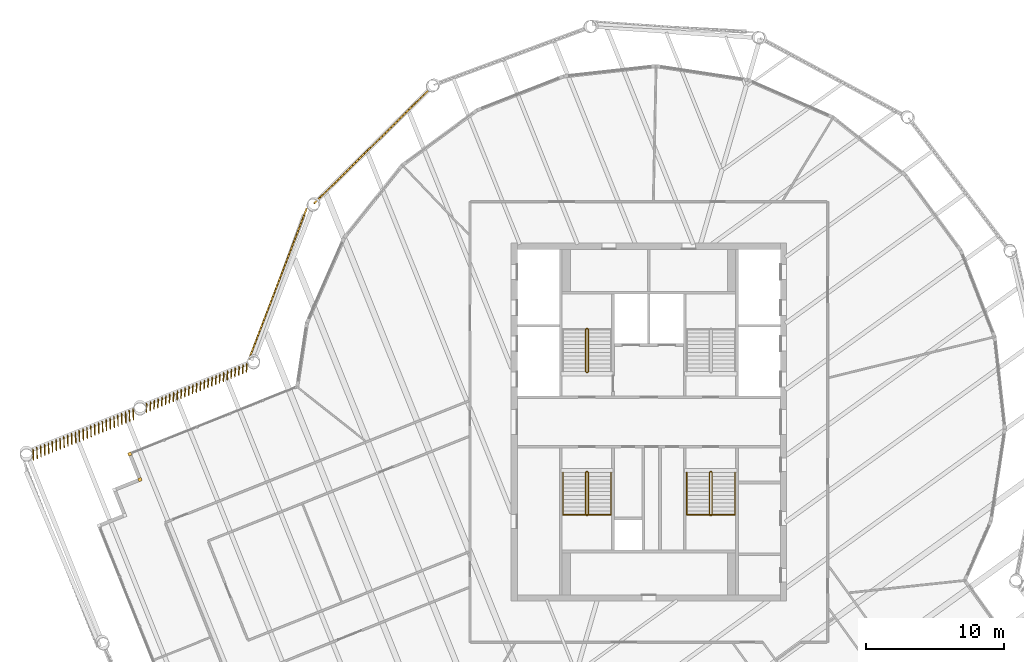
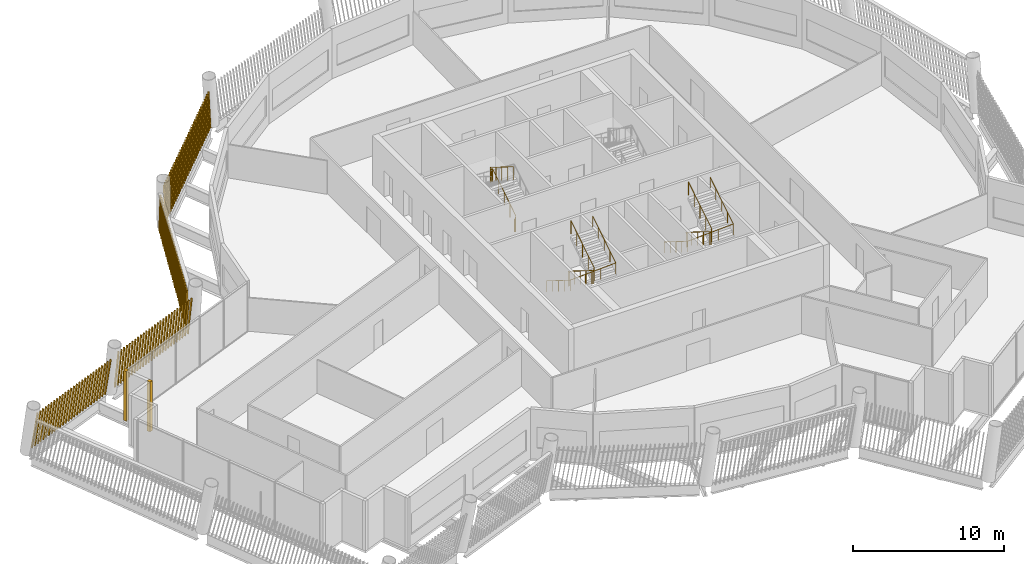
# One storey, part 24 of 27: 6 shading devices, 5 railings.
"""IFC4 building model written with IfcOpenShell, lengths in metres."""

from ifc_helpers import new_model, si_unit, direction, frame, frame_2d, origin, origin_2d, place, context, subcontext, project, spatial, rectangle, circle, composite_profile, extrude, material, type_object, element, save


model = new_model("IFC4")

# Units and contexts
model_context = context("Model", 3, precision=1e-05, world=origin(), true_north=direction((0.0, 1.0)))
body_context = subcontext(model_context, "Body", "Model", "MODEL_VIEW")
ifc_project = project(units=[si_unit("LENGTHUNIT", "METRE"), si_unit("AREAUNIT", "SQUARE_METRE"), si_unit("VOLUMEUNIT", "CUBIC_METRE"), si_unit("PLANEANGLEUNIT", "RADIAN"), si_unit("MASSUNIT", "GRAM", prefix="KILO")], contexts=[model_context])

# Site, building, storey
site_placement = place(None, origin())
site = spatial("IfcSite", under=ifc_project, at=site_placement, CompositionType="ELEMENT")
building_placement = place(site_placement, origin())
building = spatial("IfcBuilding", under=site, at=building_placement, Name="Tarsis Ring Headquarters", CompositionType="ELEMENT")
storey_placement = place(building_placement, frame((0.0, 0.0, 373.39990234375)))
storey = spatial("IfcBuildingStorey", under=building, at=storey_placement, Name="L88", CompositionType="ELEMENT", Elevation=373.39990234375)

# Railings
ifc_material_1 = material(Name="Steel S355", Category="steel")
railing_type_1 = type_object("IfcRailingType", Name="Core stair guard 1100", PredefinedType="GUARDRAIL", material=ifc_material_1)
railing_1_placement = place(storey_placement, frame((-4.5400390625, 3.610107421875, 0.0)))
element("IfcRailing", 1, at=railing_1_placement, inside=storey, type_object=railing_type_1, Name="L88 ST1 stair guard 1", PredefinedType="GUARDRAIL", context=body_context, shape_type="SweptSolid", body=[
    extrude(circle(Radius=0.02392578125, at=origin_2d()), frame((0.0, 0.0, 1.076171875), z_axis=(1.0, 0.0, 0.0), x_axis=(0.0, 1.0, 0.0)), (0.0, 0.0, 1.0), 0.080078125),
    extrude(circle(Radius=0.02392578125, at=origin_2d()), frame((0.080078125, 0.0, 1.076171875), z_axis=(0.265155923931, 0.263862480399, 0.927399011991), x_axis=(-0.705375805398, 0.708833529934, 0.0)), (0.0, 0.0, 1.0), 0.188720703125),
    extrude(circle(Radius=0.02392578125, at=origin_2d()), frame((0.130126953125, 0.0498046875, 1.2509765625), z_axis=(0.0, 0.847998304005, 0.529998940003), x_axis=(-1.0, 0.0, 0.0)), (0.0, 0.0, 1.0), 3.632080078125),
    extrude(circle(Radius=0.02392578125, at=origin_2d()), frame((0.130126953125, 3.1298828125, 3.17626953125), z_axis=(-0.707106781187, 0.707106781187, 0.0), x_axis=(-0.707106781187, -0.707106781187, 0.0)), (0.0, 0.0, 1.0), 0.07080078125),
    extrude(circle(Radius=0.02392578125, at=origin_2d()), frame((0.080078125, 3.179931640625, 3.17626953125), z_axis=(-1.0, 0.0, 0.0), x_axis=(0.0, -1.0, 0.0)), (0.0, 0.0, 1.0), 0.080078125),
    extrude(circle(Radius=0.02392578125, at=origin_2d()), frame((0.0, 3.179931640625, 3.17626953125), z_axis=(-0.265065253269, -0.265065253269, 0.927081885822), x_axis=(0.707106781187, -0.707106781187, 0.0)), (0.0, 0.0, 1.0), 0.188720703125),
    extrude(circle(Radius=0.02392578125, at=origin_2d()), frame((-0.050048828125, 3.1298828125, 3.35107421875), z_axis=(0.0, -0.847998304005, 0.529998940003), x_axis=(1.0, 0.0, 0.0)), (0.0, 0.0, 1.0), 3.632080078125),
    extrude(circle(Radius=0.02099609375, at=origin_2d()), origin(), (0.0, 0.0, 1.0), 1.052001953125),
    extrude(circle(Radius=0.02099609375, at=origin_2d()), frame((0.080078125, 0.0, 0.0)), (0.0, 0.0, 1.0), 1.052001953125),
    extrude(circle(Radius=0.02099609375, at=origin_2d()), frame((0.130126953125, 0.0498046875, 0.175048828125)), (0.0, 0.0, 1.0), 1.052001953125),
    extrude(circle(Radius=0.02099609375, at=origin_2d()), frame((0.130126953125, 0.81982421875, 0.65625)), (0.0, 0.0, 1.0), 1.052001953125),
    extrude(circle(Radius=0.02099609375, at=origin_2d()), frame((0.130126953125, 1.58984375, 1.1376953125)), (0.0, 0.0, 1.0), 1.052001953125),
    extrude(circle(Radius=0.02099609375, at=origin_2d()), frame((0.130126953125, 2.35986328125, 1.618896484375)), (0.0, 0.0, 1.0), 1.052001953125),
    extrude(circle(Radius=0.02099609375, at=origin_2d()), frame((0.130126953125, 3.1298828125, 2.10009765625)), (0.0, 0.0, 1.0), 1.052001953125),
    extrude(circle(Radius=0.02099609375, at=origin_2d()), frame((0.080078125, 3.179931640625, 2.10009765625)), (0.0, 0.0, 1.0), 1.052001953125),
    extrude(circle(Radius=0.02099609375, at=origin_2d()), frame((0.0, 3.179931640625, 2.10009765625)), (0.0, 0.0, 1.0), 1.052001953125),
    extrude(circle(Radius=0.02099609375, at=origin_2d()), frame((-0.050048828125, 3.1298828125, 2.275146484375)), (0.0, 0.0, 1.0), 1.052001953125),
    extrude(circle(Radius=0.02099609375, at=origin_2d()), frame((-0.050048828125, 2.35986328125, 2.75634765625)), (0.0, 0.0, 1.0), 1.052001953125),
    extrude(circle(Radius=0.02099609375, at=origin_2d()), frame((-0.050048828125, 1.58984375, 3.23779296875)), (0.0, 0.0, 1.0), 1.052001953125),
    extrude(circle(Radius=0.02099609375, at=origin_2d()), frame((-0.050048828125, 0.81982421875, 3.718994140625)), (0.0, 0.0, 1.0), 1.052001953125),
    extrude(circle(Radius=0.02099609375, at=origin_2d()), frame((-0.050048828125, 0.0498046875, 4.2001953125)), (0.0, 0.0, 1.0), 1.052001953125),
])
railing_2_placement = place(storey_placement, frame((-4.4599609375, -3.610107421875, 0.0)))
element("IfcRailing", 2, at=railing_2_placement, inside=storey, type_object=railing_type_1, Name="L88 ST3 stair guard 1", PredefinedType="GUARDRAIL", context=body_context, shape_type="SweptSolid", body=[
    extrude(circle(Radius=0.02392578125, at=origin_2d()), frame((0.0, 0.0, 1.076171875), z_axis=(-1.0, 0.0, 0.0), x_axis=(0.0, -1.0, 0.0)), (0.0, 0.0, 1.0), 0.080078125),
    extrude(circle(Radius=0.02392578125, at=origin_2d()), frame((-0.080078125, 0.0, 1.076171875), z_axis=(-0.265155923931, -0.263862480399, 0.927399011991), x_axis=(0.705375805398, -0.708833529934, 0.0)), (0.0, 0.0, 1.0), 0.188720703125),
    extrude(circle(Radius=0.02392578125, at=origin_2d()), frame((-0.130126953125, -0.0498046875, 1.2509765625), z_axis=(0.0, -0.847998304005, 0.529998940003), x_axis=(1.0, 0.0, 0.0)), (0.0, 0.0, 1.0), 3.632080078125),
    extrude(circle(Radius=0.02392578125, at=origin_2d()), frame((-0.130126953125, -3.1298828125, 3.17626953125), z_axis=(0.707106781187, -0.707106781187, 0.0), x_axis=(0.707106781187, 0.707106781187, 0.0)), (0.0, 0.0, 1.0), 0.07080078125),
    extrude(circle(Radius=0.02392578125, at=origin_2d()), frame((-0.080078125, -3.179931640625, 3.17626953125), z_axis=(1.0, 0.0, 0.0), x_axis=(0.0, 1.0, 0.0)), (0.0, 0.0, 1.0), 0.080078125),
    extrude(circle(Radius=0.02392578125, at=origin_2d()), frame((0.0, -3.179931640625, 3.17626953125), z_axis=(0.265065253269, 0.265065253269, 0.927081885822), x_axis=(-0.707106781187, 0.707106781187, 0.0)), (0.0, 0.0, 1.0), 0.188720703125),
    extrude(circle(Radius=0.02392578125, at=origin_2d()), frame((0.050048828125, -3.1298828125, 3.35107421875), z_axis=(0.0, 0.847998304005, 0.529998940003), x_axis=(-1.0, 0.0, 0.0)), (0.0, 0.0, 1.0), 3.632080078125),
    extrude(circle(Radius=0.02099609375, at=origin_2d()), origin(), (0.0, 0.0, 1.0), 1.052001953125),
    extrude(circle(Radius=0.02099609375, at=origin_2d()), frame((-0.080078125, 0.0, 0.0)), (0.0, 0.0, 1.0), 1.052001953125),
    extrude(circle(Radius=0.02099609375, at=origin_2d()), frame((-0.130126953125, -0.0498046875, 0.175048828125)), (0.0, 0.0, 1.0), 1.052001953125),
    extrude(circle(Radius=0.02099609375, at=origin_2d()), frame((-0.130126953125, -0.81982421875, 0.65625)), (0.0, 0.0, 1.0), 1.052001953125),
    extrude(circle(Radius=0.02099609375, at=origin_2d()), frame((-0.130126953125, -1.58984375, 1.1376953125)), (0.0, 0.0, 1.0), 1.052001953125),
    extrude(circle(Radius=0.02099609375, at=origin_2d()), frame((-0.130126953125, -2.35986328125, 1.618896484375)), (0.0, 0.0, 1.0), 1.052001953125),
    extrude(circle(Radius=0.02099609375, at=origin_2d()), frame((-0.130126953125, -3.1298828125, 2.10009765625)), (0.0, 0.0, 1.0), 1.052001953125),
    extrude(circle(Radius=0.02099609375, at=origin_2d()), frame((-0.080078125, -3.179931640625, 2.10009765625)), (0.0, 0.0, 1.0), 1.052001953125),
    extrude(circle(Radius=0.02099609375, at=origin_2d()), frame((0.0, -3.179931640625, 2.10009765625)), (0.0, 0.0, 1.0), 1.052001953125),
    extrude(circle(Radius=0.02099609375, at=origin_2d()), frame((0.050048828125, -3.1298828125, 2.275146484375)), (0.0, 0.0, 1.0), 1.052001953125),
    extrude(circle(Radius=0.02099609375, at=origin_2d()), frame((0.050048828125, -2.35986328125, 2.75634765625)), (0.0, 0.0, 1.0), 1.052001953125),
    extrude(circle(Radius=0.02099609375, at=origin_2d()), frame((0.050048828125, -1.58984375, 3.23779296875)), (0.0, 0.0, 1.0), 1.052001953125),
    extrude(circle(Radius=0.02099609375, at=origin_2d()), frame((0.050048828125, -0.81982421875, 3.718994140625)), (0.0, 0.0, 1.0), 1.052001953125),
    extrude(circle(Radius=0.02099609375, at=origin_2d()), frame((0.050048828125, -0.0498046875, 4.2001953125)), (0.0, 0.0, 1.0), 1.052001953125),
])
railing_3_placement = place(storey_placement, frame((4.5400390625, -3.610107421875, 0.0)))
element("IfcRailing", 3, at=railing_3_placement, inside=storey, type_object=railing_type_1, Name="L88 ST4 stair guard 1", PredefinedType="GUARDRAIL", context=body_context, shape_type="SweptSolid", body=[
    extrude(circle(Radius=0.02392578125, at=origin_2d()), frame((0.0, 0.0, 1.076171875), z_axis=(-1.0, 0.0, 0.0), x_axis=(0.0, -1.0, 0.0)), (0.0, 0.0, 1.0), 0.080078125),
    extrude(circle(Radius=0.02392578125, at=origin_2d()), frame((-0.080078125, 0.0, 1.076171875), z_axis=(-0.265155923931, -0.263862480399, 0.927399011991), x_axis=(0.705375805398, -0.708833529934, 0.0)), (0.0, 0.0, 1.0), 0.188720703125),
    extrude(circle(Radius=0.02392578125, at=origin_2d()), frame((-0.130126953125, -0.0498046875, 1.2509765625), z_axis=(0.0, -0.847998304005, 0.529998940003), x_axis=(1.0, 0.0, 0.0)), (0.0, 0.0, 1.0), 3.632080078125),
    extrude(circle(Radius=0.02392578125, at=origin_2d()), frame((-0.130126953125, -3.1298828125, 3.17626953125), z_axis=(0.707106781187, -0.707106781187, 0.0), x_axis=(0.707106781187, 0.707106781187, 0.0)), (0.0, 0.0, 1.0), 0.07080078125),
    extrude(circle(Radius=0.02392578125, at=origin_2d()), frame((-0.080078125, -3.179931640625, 3.17626953125), z_axis=(1.0, 0.0, 0.0), x_axis=(0.0, 1.0, 0.0)), (0.0, 0.0, 1.0), 0.080078125),
    extrude(circle(Radius=0.02392578125, at=origin_2d()), frame((0.0, -3.179931640625, 3.17626953125), z_axis=(0.265065253269, 0.265065253269, 0.927081885822), x_axis=(-0.707106781187, 0.707106781187, 0.0)), (0.0, 0.0, 1.0), 0.188720703125),
    extrude(circle(Radius=0.02392578125, at=origin_2d()), frame((0.050048828125, -3.1298828125, 3.35107421875), z_axis=(0.0, 0.847998304005, 0.529998940003), x_axis=(-1.0, 0.0, 0.0)), (0.0, 0.0, 1.0), 3.632080078125),
    extrude(circle(Radius=0.02099609375, at=origin_2d()), origin(), (0.0, 0.0, 1.0), 1.052001953125),
    extrude(circle(Radius=0.02099609375, at=origin_2d()), frame((-0.080078125, 0.0, 0.0)), (0.0, 0.0, 1.0), 1.052001953125),
    extrude(circle(Radius=0.02099609375, at=origin_2d()), frame((-0.130126953125, -0.0498046875, 0.175048828125)), (0.0, 0.0, 1.0), 1.052001953125),
    extrude(circle(Radius=0.02099609375, at=origin_2d()), frame((-0.130126953125, -0.81982421875, 0.65625)), (0.0, 0.0, 1.0), 1.052001953125),
    extrude(circle(Radius=0.02099609375, at=origin_2d()), frame((-0.130126953125, -1.58984375, 1.1376953125)), (0.0, 0.0, 1.0), 1.052001953125),
    extrude(circle(Radius=0.02099609375, at=origin_2d()), frame((-0.130126953125, -2.35986328125, 1.618896484375)), (0.0, 0.0, 1.0), 1.052001953125),
    extrude(circle(Radius=0.02099609375, at=origin_2d()), frame((-0.130126953125, -3.1298828125, 2.10009765625)), (0.0, 0.0, 1.0), 1.052001953125),
    extrude(circle(Radius=0.02099609375, at=origin_2d()), frame((-0.080078125, -3.179931640625, 2.10009765625)), (0.0, 0.0, 1.0), 1.052001953125),
    extrude(circle(Radius=0.02099609375, at=origin_2d()), frame((0.0, -3.179931640625, 2.10009765625)), (0.0, 0.0, 1.0), 1.052001953125),
    extrude(circle(Radius=0.02099609375, at=origin_2d()), frame((0.050048828125, -3.1298828125, 2.275146484375)), (0.0, 0.0, 1.0), 1.052001953125),
    extrude(circle(Radius=0.02099609375, at=origin_2d()), frame((0.050048828125, -2.35986328125, 2.75634765625)), (0.0, 0.0, 1.0), 1.052001953125),
    extrude(circle(Radius=0.02099609375, at=origin_2d()), frame((0.050048828125, -1.58984375, 3.23779296875)), (0.0, 0.0, 1.0), 1.052001953125),
    extrude(circle(Radius=0.02099609375, at=origin_2d()), frame((0.050048828125, -0.81982421875, 3.718994140625)), (0.0, 0.0, 1.0), 1.052001953125),
    extrude(circle(Radius=0.02099609375, at=origin_2d()), frame((0.050048828125, -0.0498046875, 4.2001953125)), (0.0, 0.0, 1.0), 1.052001953125),
])
railing_type_2 = type_object("IfcRailingType", Name="Core stair handrail 900", PredefinedType="HANDRAIL", material=ifc_material_1)
railing_4_placement = place(storey_placement, frame((-6.25, -3.659912109375, 0.175048828125)))
element("IfcRailing", 4, at=railing_4_placement, inside=storey, type_object=railing_type_2, Name="L88 ST3 stair handrail 1", PredefinedType="HANDRAIL", context=body_context, shape_type="SweptSolid", body=[
    extrude(circle(Radius=0.02392578125, at=origin_2d()), frame((0.0, 0.0, 0.8759765625), z_axis=(0.0, -0.847998304005, 0.529998940003), x_axis=(1.0, 0.0, 0.0)), (0.0, 0.0, 1.0), 3.632080078125),
    extrude(circle(Radius=0.02392578125, at=origin_2d()), frame((0.0, -3.080078125, 2.80078125), z_axis=(0.998751643845, 0.0, 0.049951515669), x_axis=(0.0, 1.0, 0.0)), (0.0, 0.0, 1.0), 3.50439453125),
    extrude(circle(Radius=0.02392578125, at=origin_2d()), frame((3.5, -3.080078125, 2.97607421875), z_axis=(0.0, 0.847998304005, 0.529998940003), x_axis=(-1.0, 0.0, 0.0)), (0.0, 0.0, 1.0), 3.632080078125),
    extrude(circle(Radius=0.02099609375, at=origin_2d()), origin(), (0.0, 0.0, 1.0), 0.851806640625),
    extrude(circle(Radius=0.02099609375, at=origin_2d()), frame((0.0, -0.77001953125, 0.481201171875)), (0.0, 0.0, 1.0), 0.851806640625),
    extrude(circle(Radius=0.02099609375, at=origin_2d()), frame((0.0, -1.5400390625, 0.96240234375)), (0.0, 0.0, 1.0), 0.851806640625),
    extrude(circle(Radius=0.02099609375, at=origin_2d()), frame((0.0, -2.31005859375, 1.44384765625)), (0.0, 0.0, 1.0), 0.851806640625),
    extrude(circle(Radius=0.02099609375, at=origin_2d()), frame((0.0, -3.080078125, 1.925048828125)), (0.0, 0.0, 1.0), 0.851806640625),
    extrude(circle(Radius=0.02099609375, at=origin_2d()), frame((1.166748046875, -3.080078125, 1.9833984375)), (0.0, 0.0, 1.0), 0.851806640625),
    extrude(circle(Radius=0.02099609375, at=origin_2d()), frame((2.333251953125, -3.080078125, 2.041748046875)), (0.0, 0.0, 1.0), 0.851806640625),
    extrude(circle(Radius=0.02099609375, at=origin_2d()), frame((3.5, -3.080078125, 2.10009765625)), (0.0, 0.0, 1.0), 0.851806640625),
    extrude(circle(Radius=0.02099609375, at=origin_2d()), frame((3.5, -2.31005859375, 2.581298828125)), (0.0, 0.0, 1.0), 0.851806640625),
    extrude(circle(Radius=0.02099609375, at=origin_2d()), frame((3.5, -1.5400390625, 3.0625)), (0.0, 0.0, 1.0), 0.851806640625),
    extrude(circle(Radius=0.02099609375, at=origin_2d()), frame((3.5, -0.77001953125, 3.5439453125)), (0.0, 0.0, 1.0), 0.851806640625),
    extrude(circle(Radius=0.02099609375, at=origin_2d()), frame((3.5, 0.0, 4.025146484375)), (0.0, 0.0, 1.0), 0.851806640625),
])
railing_5_placement = place(storey_placement, frame((2.75, -3.659912109375, 0.175048828125)))
element("IfcRailing", 5, at=railing_5_placement, inside=storey, type_object=railing_type_2, Name="L88 ST4 stair handrail 1", PredefinedType="HANDRAIL", context=body_context, shape_type="SweptSolid", body=[
    extrude(circle(Radius=0.02392578125, at=origin_2d()), frame((0.0, 0.0, 0.8759765625), z_axis=(0.0, -0.847998304005, 0.529998940003), x_axis=(1.0, 0.0, 0.0)), (0.0, 0.0, 1.0), 3.632080078125),
    extrude(circle(Radius=0.02392578125, at=origin_2d()), frame((0.0, -3.080078125, 2.80078125), z_axis=(0.998751643845, 0.0, 0.049951515669), x_axis=(0.0, 1.0, 0.0)), (0.0, 0.0, 1.0), 3.50439453125),
    extrude(circle(Radius=0.02392578125, at=origin_2d()), frame((3.5, -3.080078125, 2.97607421875), z_axis=(0.0, 0.847998304005, 0.529998940003), x_axis=(-1.0, 0.0, 0.0)), (0.0, 0.0, 1.0), 3.632080078125),
    extrude(circle(Radius=0.02099609375, at=origin_2d()), origin(), (0.0, 0.0, 1.0), 0.851806640625),
    extrude(circle(Radius=0.02099609375, at=origin_2d()), frame((0.0, -0.77001953125, 0.481201171875)), (0.0, 0.0, 1.0), 0.851806640625),
    extrude(circle(Radius=0.02099609375, at=origin_2d()), frame((0.0, -1.5400390625, 0.96240234375)), (0.0, 0.0, 1.0), 0.851806640625),
    extrude(circle(Radius=0.02099609375, at=origin_2d()), frame((0.0, -2.31005859375, 1.44384765625)), (0.0, 0.0, 1.0), 0.851806640625),
    extrude(circle(Radius=0.02099609375, at=origin_2d()), frame((0.0, -3.080078125, 1.925048828125)), (0.0, 0.0, 1.0), 0.851806640625),
    extrude(circle(Radius=0.02099609375, at=origin_2d()), frame((1.166748046875, -3.080078125, 1.9833984375)), (0.0, 0.0, 1.0), 0.851806640625),
    extrude(circle(Radius=0.02099609375, at=origin_2d()), frame((2.333251953125, -3.080078125, 2.041748046875)), (0.0, 0.0, 1.0), 0.851806640625),
    extrude(circle(Radius=0.02099609375, at=origin_2d()), frame((3.5, -3.080078125, 2.10009765625)), (0.0, 0.0, 1.0), 0.851806640625),
    extrude(circle(Radius=0.02099609375, at=origin_2d()), frame((3.5, -2.31005859375, 2.581298828125)), (0.0, 0.0, 1.0), 0.851806640625),
    extrude(circle(Radius=0.02099609375, at=origin_2d()), frame((3.5, -1.5400390625, 3.0625)), (0.0, 0.0, 1.0), 0.851806640625),
    extrude(circle(Radius=0.02099609375, at=origin_2d()), frame((3.5, -0.77001953125, 3.5439453125)), (0.0, 0.0, 1.0), 0.851806640625),
    extrude(circle(Radius=0.02099609375, at=origin_2d()), frame((3.5, 0.0, 4.025146484375)), (0.0, 0.0, 1.0), 0.851806640625),
])

# Shading devices
ifc_material_2 = material(Name="Terracotta baguette", Category="masonry")
shading_device_type_1 = type_object("IfcShadingDeviceType", Name="Terracotta baguette screen", PredefinedType="USERDEFINED", material=ifc_material_2)
shading_device_1_placement = place(storey_placement, frame((-15.973876953125, 24.140869140625, 0.0), z_axis=(0.0, 0.0, 1.0), x_axis=(-0.710841020076, -0.703353228432, 0.0)))
element("IfcShadingDevice", 6, at=shading_device_1_placement, inside=storey, type_object=shading_device_type_1, Name="Baguette screen L88-11", ObjectType="Terracotta baguette screen", PredefinedType="USERDEFINED", context=body_context, shape_type="SweptSolid", body=[
    extrude(composite_profile([rectangle(XDim=0.06005859375, YDim=0.1201171875, at=frame_2d((0.030029296875, 0.0))), rectangle(XDim=0.06005859375, YDim=0.1201171875, at=frame_2d((0.33251953125, 0.0))), rectangle(XDim=0.06005859375, YDim=0.1201171875, at=frame_2d((0.634765625, 0.0))), rectangle(XDim=0.06005859375, YDim=0.1201171875, at=frame_2d((0.937255859375, 0.0))), rectangle(XDim=0.06005859375, YDim=0.1201171875, at=frame_2d((1.239501953125, 0.0))), rectangle(XDim=0.06005859375, YDim=0.1201171875, at=frame_2d((1.5419921875, 0.0))), rectangle(XDim=0.06005859375, YDim=0.1201171875, at=frame_2d((1.844482421875, 0.0))), rectangle(XDim=0.06005859375, YDim=0.1201171875, at=frame_2d((2.146728515625, 0.0))), rectangle(XDim=0.06005859375, YDim=0.1201171875, at=frame_2d((2.44921875, 0.0))), rectangle(XDim=0.06005859375, YDim=0.1201171875, at=frame_2d((2.751708984375, 0.0))), rectangle(XDim=0.06005859375, YDim=0.1201171875, at=frame_2d((3.053955078125, 0.0))), rectangle(XDim=0.06005859375, YDim=0.1201171875, at=frame_2d((3.3564453125, 0.0))), rectangle(XDim=0.06005859375, YDim=0.1201171875, at=frame_2d((3.65869140625, 0.0))), rectangle(XDim=0.06005859375, YDim=0.1201171875, at=frame_2d((3.961181640625, 0.0))), rectangle(XDim=0.06005859375, YDim=0.1201171875, at=frame_2d((4.263671875, 0.0))), rectangle(XDim=0.06005859375, YDim=0.1201171875, at=frame_2d((4.56591796875, 0.0))), rectangle(XDim=0.06005859375, YDim=0.1201171875, at=frame_2d((4.868408203125, 0.0))), rectangle(XDim=0.06005859375, YDim=0.1201171875, at=frame_2d((5.1708984375, 0.0))), rectangle(XDim=0.06005859375, YDim=0.1201171875, at=frame_2d((5.47314453125, 0.0))), rectangle(XDim=0.06005859375, YDim=0.1201171875, at=frame_2d((5.775634765625, 0.0))), rectangle(XDim=0.06005859375, YDim=0.1201171875, at=frame_2d((6.077880859375, 0.0))), rectangle(XDim=0.06005859375, YDim=0.1201171875, at=frame_2d((6.38037109375, 0.0))), rectangle(XDim=0.06005859375, YDim=0.1201171875, at=frame_2d((6.682861328125, 0.0))), rectangle(XDim=0.06005859375, YDim=0.1201171875, at=frame_2d((6.985107421875, 0.0))), rectangle(XDim=0.06005859375, YDim=0.1201171875, at=frame_2d((7.28759765625, 0.0))), rectangle(XDim=0.06005859375, YDim=0.1201171875, at=frame_2d((7.590087890625, 0.0))), rectangle(XDim=0.06005859375, YDim=0.1201171875, at=frame_2d((7.892333984375, 0.0))), rectangle(XDim=0.06005859375, YDim=0.1201171875, at=frame_2d((8.19482421875, 0.0))), rectangle(XDim=0.06005859375, YDim=0.1201171875, at=frame_2d((8.4970703125, 0.0))), rectangle(XDim=0.06005859375, YDim=0.1201171875, at=frame_2d((8.799560546875, 0.0))), rectangle(XDim=0.06005859375, YDim=0.1201171875, at=frame_2d((9.10205078125, 0.0))), rectangle(XDim=0.06005859375, YDim=0.1201171875, at=frame_2d((9.404296875, 0.0))), rectangle(XDim=0.06005859375, YDim=0.1201171875, at=frame_2d((9.706787109375, 0.0))), rectangle(XDim=0.06005859375, YDim=0.1201171875, at=frame_2d((10.00927734375, 0.0))), rectangle(XDim=0.06005859375, YDim=0.1201171875, at=frame_2d((10.3115234375, 0.0))), rectangle(XDim=0.06005859375, YDim=0.1201171875, at=frame_2d((10.614013671875, 0.0))), rectangle(XDim=0.06005859375, YDim=0.1201171875, at=frame_2d((10.916259765625, 0.0))), rectangle(XDim=0.06005859375, YDim=0.1201171875, at=frame_2d((11.21875, 0.0)))]), origin(), (0.155202849292, 0.001407339145, 0.987881619916), 3.32080078125),
])
shading_device_2_placement = place(storey_placement, frame((-24.8544921875, 15.54443359375, 0.0), z_axis=(0.0, 0.0, 1.0), x_axis=(-0.357742810635, -0.933825284862, 0.0)))
element("IfcShadingDevice", 7, at=shading_device_2_placement, inside=storey, type_object=shading_device_type_1, Name="Baguette screen L88-12", ObjectType="Terracotta baguette screen", PredefinedType="USERDEFINED", context=body_context, shape_type="SweptSolid", body=[
    extrude(composite_profile([rectangle(XDim=0.06005859375, YDim=0.1201171875, at=frame_2d((0.030029296875, 0.0))), rectangle(XDim=0.06005859375, YDim=0.1201171875, at=frame_2d((0.33251953125, 0.0))), rectangle(XDim=0.06005859375, YDim=0.1201171875, at=frame_2d((0.634765625, 0.0))), rectangle(XDim=0.06005859375, YDim=0.1201171875, at=frame_2d((0.937255859375, 0.0))), rectangle(XDim=0.06005859375, YDim=0.1201171875, at=frame_2d((1.239501953125, 0.0))), rectangle(XDim=0.06005859375, YDim=0.1201171875, at=frame_2d((1.5419921875, 0.0))), rectangle(XDim=0.06005859375, YDim=0.1201171875, at=frame_2d((1.844482421875, 0.0))), rectangle(XDim=0.06005859375, YDim=0.1201171875, at=frame_2d((2.146728515625, 0.0))), rectangle(XDim=0.06005859375, YDim=0.1201171875, at=frame_2d((2.44921875, 0.0))), rectangle(XDim=0.06005859375, YDim=0.1201171875, at=frame_2d((2.751708984375, 0.0))), rectangle(XDim=0.06005859375, YDim=0.1201171875, at=frame_2d((3.053955078125, 0.0))), rectangle(XDim=0.06005859375, YDim=0.1201171875, at=frame_2d((3.3564453125, 0.0))), rectangle(XDim=0.06005859375, YDim=0.1201171875, at=frame_2d((3.65869140625, 0.0))), rectangle(XDim=0.06005859375, YDim=0.1201171875, at=frame_2d((3.961181640625, 0.0))), rectangle(XDim=0.06005859375, YDim=0.1201171875, at=frame_2d((4.263671875, 0.0))), rectangle(XDim=0.06005859375, YDim=0.1201171875, at=frame_2d((4.56591796875, 0.0))), rectangle(XDim=0.06005859375, YDim=0.1201171875, at=frame_2d((4.868408203125, 0.0))), rectangle(XDim=0.06005859375, YDim=0.1201171875, at=frame_2d((5.1708984375, 0.0))), rectangle(XDim=0.06005859375, YDim=0.1201171875, at=frame_2d((5.47314453125, 0.0))), rectangle(XDim=0.06005859375, YDim=0.1201171875, at=frame_2d((5.775634765625, 0.0))), rectangle(XDim=0.06005859375, YDim=0.1201171875, at=frame_2d((6.077880859375, 0.0))), rectangle(XDim=0.06005859375, YDim=0.1201171875, at=frame_2d((6.38037109375, 0.0))), rectangle(XDim=0.06005859375, YDim=0.1201171875, at=frame_2d((6.682861328125, 0.0))), rectangle(XDim=0.06005859375, YDim=0.1201171875, at=frame_2d((6.985107421875, 0.0))), rectangle(XDim=0.06005859375, YDim=0.1201171875, at=frame_2d((7.28759765625, 0.0))), rectangle(XDim=0.06005859375, YDim=0.1201171875, at=frame_2d((7.590087890625, 0.0))), rectangle(XDim=0.06005859375, YDim=0.1201171875, at=frame_2d((7.892333984375, 0.0))), rectangle(XDim=0.06005859375, YDim=0.1201171875, at=frame_2d((8.19482421875, 0.0))), rectangle(XDim=0.06005859375, YDim=0.1201171875, at=frame_2d((8.4970703125, 0.0))), rectangle(XDim=0.06005859375, YDim=0.1201171875, at=frame_2d((8.799560546875, 0.0))), rectangle(XDim=0.06005859375, YDim=0.1201171875, at=frame_2d((9.10205078125, 0.0))), rectangle(XDim=0.06005859375, YDim=0.1201171875, at=frame_2d((9.404296875, 0.0))), rectangle(XDim=0.06005859375, YDim=0.1201171875, at=frame_2d((9.706787109375, 0.0))), rectangle(XDim=0.06005859375, YDim=0.1201171875, at=frame_2d((10.00927734375, 0.0))), rectangle(XDim=0.06005859375, YDim=0.1201171875, at=frame_2d((10.3115234375, 0.0))), rectangle(XDim=0.06005859375, YDim=0.1201171875, at=frame_2d((10.614013671875, 0.0))), rectangle(XDim=0.06005859375, YDim=0.1201171875, at=frame_2d((10.916259765625, 0.0))), rectangle(XDim=0.06005859375, YDim=0.1201171875, at=frame_2d((11.21875, 0.0)))]), origin(), (0.157203079329, 0.001427422357, 0.987565265851), 3.32177734375),
])
shading_device_3_placement = place(storey_placement, frame((-29.17138671875, 4.2529296875, 0.0), z_axis=(0.0, 0.0, 1.0), x_axis=(-0.928231586752, -0.37200321305, 0.0)))
element("IfcShadingDevice", 8, at=shading_device_3_placement, inside=storey, type_object=shading_device_type_1, Name="Baguette screen L88-13", ObjectType="Terracotta baguette screen", PredefinedType="USERDEFINED", context=body_context, shape_type="SweptSolid", body=[
    extrude(composite_profile([rectangle(XDim=0.06005859375, YDim=0.1201171875, at=frame_2d((0.030029296875, 0.0))), rectangle(XDim=0.06005859375, YDim=0.1201171875, at=frame_2d((0.33154296875, 0.0))), rectangle(XDim=0.06005859375, YDim=0.1201171875, at=frame_2d((0.63330078125, 0.0))), rectangle(XDim=0.06005859375, YDim=0.1201171875, at=frame_2d((0.934814453125, 0.0))), rectangle(XDim=0.06005859375, YDim=0.1201171875, at=frame_2d((1.236572265625, 0.0))), rectangle(XDim=0.06005859375, YDim=0.1201171875, at=frame_2d((1.5380859375, 0.0))), rectangle(XDim=0.06005859375, YDim=0.1201171875, at=frame_2d((1.83984375, 0.0))), rectangle(XDim=0.06005859375, YDim=0.1201171875, at=frame_2d((2.141357421875, 0.0))), rectangle(XDim=0.06005859375, YDim=0.1201171875, at=frame_2d((2.443115234375, 0.0))), rectangle(XDim=0.06005859375, YDim=0.1201171875, at=frame_2d((2.74462890625, 0.0))), rectangle(XDim=0.06005859375, YDim=0.1201171875, at=frame_2d((3.04638671875, 0.0))), rectangle(XDim=0.06005859375, YDim=0.1201171875, at=frame_2d((3.347900390625, 0.0))), rectangle(XDim=0.06005859375, YDim=0.1201171875, at=frame_2d((3.649658203125, 0.0))), rectangle(XDim=0.06005859375, YDim=0.1201171875, at=frame_2d((3.951171875, 0.0))), rectangle(XDim=0.06005859375, YDim=0.1201171875, at=frame_2d((4.252685546875, 0.0))), rectangle(XDim=0.06005859375, YDim=0.1201171875, at=frame_2d((4.554443359375, 0.0))), rectangle(XDim=0.06005859375, YDim=0.1201171875, at=frame_2d((4.85595703125, 0.0))), rectangle(XDim=0.06005859375, YDim=0.1201171875, at=frame_2d((5.15771484375, 0.0))), rectangle(XDim=0.06005859375, YDim=0.1201171875, at=frame_2d((5.459228515625, 0.0))), rectangle(XDim=0.06005859375, YDim=0.1201171875, at=frame_2d((5.760986328125, 0.0))), rectangle(XDim=0.06005859375, YDim=0.1201171875, at=frame_2d((6.0625, 0.0))), rectangle(XDim=0.06005859375, YDim=0.1201171875, at=frame_2d((6.3642578125, 0.0))), rectangle(XDim=0.06005859375, YDim=0.1201171875, at=frame_2d((6.665771484375, 0.0))), rectangle(XDim=0.06005859375, YDim=0.1201171875, at=frame_2d((6.967529296875, 0.0))), rectangle(XDim=0.06005859375, YDim=0.1201171875, at=frame_2d((7.26904296875, 0.0))), rectangle(XDim=0.06005859375, YDim=0.1201171875, at=frame_2d((7.57080078125, 0.0))), rectangle(XDim=0.06005859375, YDim=0.1201171875, at=frame_2d((7.872314453125, 0.0)))]), origin(), (0.079099979447, 0.161011479327, 0.983777666333), 3.334716796875),
])
shading_device_4_placement = place(storey_placement, frame((-37.434814453125, 0.941162109375, 0.0), z_axis=(0.0, 0.0, 1.0), x_axis=(-0.928229369419, -0.372014706337, 0.0)))
element("IfcShadingDevice", 9, at=shading_device_4_placement, inside=storey, type_object=shading_device_type_1, Name="Baguette screen L88-14", ObjectType="Terracotta baguette screen", PredefinedType="USERDEFINED", context=body_context, shape_type="SweptSolid", body=[
    extrude(composite_profile([rectangle(XDim=0.06005859375, YDim=0.1201171875, at=frame_2d((0.030029296875, 0.0))), rectangle(XDim=0.06005859375, YDim=0.1201171875, at=frame_2d((0.33154296875, 0.0))), rectangle(XDim=0.06005859375, YDim=0.1201171875, at=frame_2d((0.63330078125, 0.0))), rectangle(XDim=0.06005859375, YDim=0.1201171875, at=frame_2d((0.934814453125, 0.0))), rectangle(XDim=0.06005859375, YDim=0.1201171875, at=frame_2d((1.236572265625, 0.0))), rectangle(XDim=0.06005859375, YDim=0.1201171875, at=frame_2d((1.5380859375, 0.0))), rectangle(XDim=0.06005859375, YDim=0.1201171875, at=frame_2d((1.83984375, 0.0))), rectangle(XDim=0.06005859375, YDim=0.1201171875, at=frame_2d((2.141357421875, 0.0))), rectangle(XDim=0.06005859375, YDim=0.1201171875, at=frame_2d((2.443115234375, 0.0))), rectangle(XDim=0.06005859375, YDim=0.1201171875, at=frame_2d((2.74462890625, 0.0))), rectangle(XDim=0.06005859375, YDim=0.1201171875, at=frame_2d((3.04638671875, 0.0))), rectangle(XDim=0.06005859375, YDim=0.1201171875, at=frame_2d((3.347900390625, 0.0))), rectangle(XDim=0.06005859375, YDim=0.1201171875, at=frame_2d((3.649658203125, 0.0))), rectangle(XDim=0.06005859375, YDim=0.1201171875, at=frame_2d((3.951171875, 0.0))), rectangle(XDim=0.06005859375, YDim=0.1201171875, at=frame_2d((4.252685546875, 0.0))), rectangle(XDim=0.06005859375, YDim=0.1201171875, at=frame_2d((4.554443359375, 0.0))), rectangle(XDim=0.06005859375, YDim=0.1201171875, at=frame_2d((4.85595703125, 0.0))), rectangle(XDim=0.06005859375, YDim=0.1201171875, at=frame_2d((5.15771484375, 0.0))), rectangle(XDim=0.06005859375, YDim=0.1201171875, at=frame_2d((5.459228515625, 0.0))), rectangle(XDim=0.06005859375, YDim=0.1201171875, at=frame_2d((5.760986328125, 0.0))), rectangle(XDim=0.06005859375, YDim=0.1201171875, at=frame_2d((6.0625, 0.0))), rectangle(XDim=0.06005859375, YDim=0.1201171875, at=frame_2d((6.3642578125, 0.0))), rectangle(XDim=0.06005859375, YDim=0.1201171875, at=frame_2d((6.665771484375, 0.0))), rectangle(XDim=0.06005859375, YDim=0.1201171875, at=frame_2d((6.967529296875, 0.0))), rectangle(XDim=0.06005859375, YDim=0.1201171875, at=frame_2d((7.26904296875, 0.0))), rectangle(XDim=0.06005859375, YDim=0.1201171875, at=frame_2d((7.57080078125, 0.0))), rectangle(XDim=0.06005859375, YDim=0.1201171875, at=frame_2d((7.872314453125, 0.0)))]), origin(), (0.077967930884, 0.207618289263, 0.975097763159), 3.3642578125),
])
shading_device_type_2 = type_object("IfcShadingDeviceType", Name="Terracotta corner baguette 250x250", PredefinedType="USERDEFINED", material=ifc_material_2)
for number, where, z_axis, x_axis, name in (
    (10, (-37.7177734375, -2.323486328125, 0.0), (0.0, 0.0, 1.0), (-0.928226356456, -0.372015901785, 0.0), "Corner baguette L88-32"),
    (11, (-36.973876953125, -4.179931640625, 0.0), (0.0, 0.0, 1.0), (0.372015934186, -0.92822634347, 0.0), "Corner baguette L88-33"),
):
    element("IfcShadingDevice", number, at=place(storey_placement, frame(where, z_axis=z_axis, x_axis=x_axis)), inside=storey, type_object=shading_device_type_2, Name=name, ObjectType="Terracotta corner baguette", PredefinedType="USERDEFINED", context=body_context, shape_type="SweptSolid", body=[
        extrude(rectangle(XDim=0.25, YDim=0.25, at=origin_2d()), origin(), (0.0, 0.0, 1.0), 4.0400390625),
    ])

save(model, "model.ifc")
